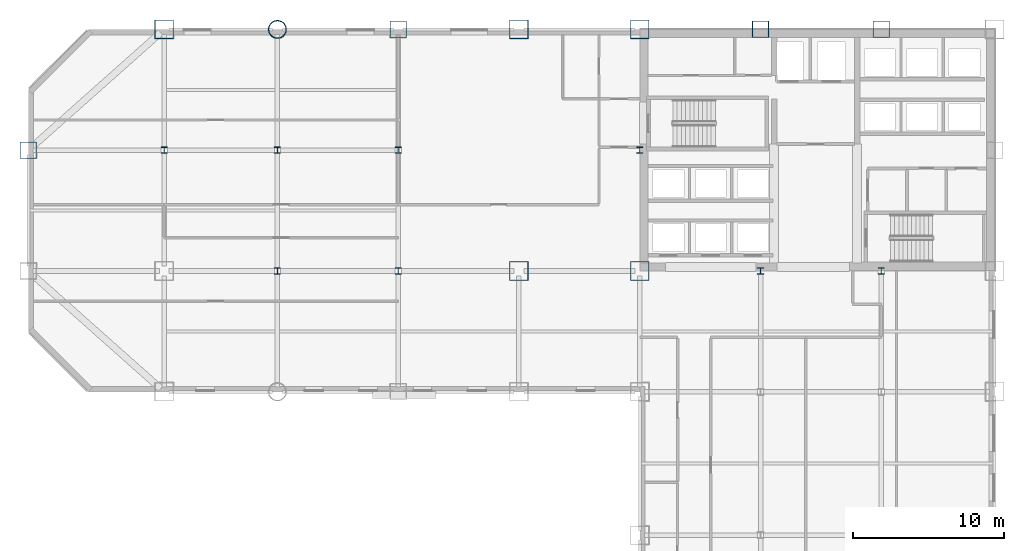
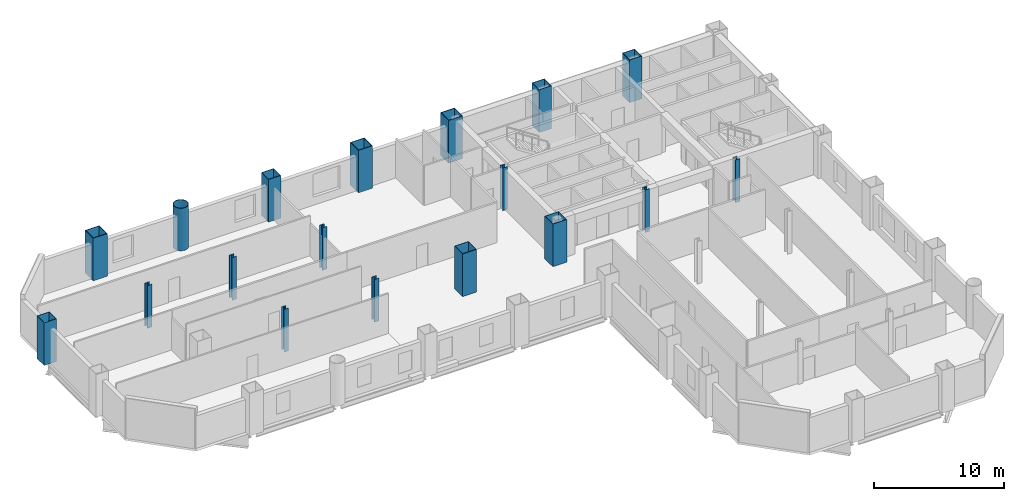
# One storey, part 2 of 9: 18 columns.
"""IFC4 building model written with IfcOpenShell, lengths in metres."""

from ifc_helpers import new_model, si_unit, direction, frame, origin, origin_2d, place, context, subcontext, project, spatial, hollow_rectangle, hollow_circle, i_section, extrude, material, material_profile, profile_set, type_object, element, save


model = new_model("IFC4")

# Units and contexts
model_context = context("Model", 3, precision=1e-05, world=origin(), true_north=direction((0.0, 1.0)))
body_context = subcontext(model_context, "Body", "Model", "MODEL_VIEW")
ifc_project = project(units=[si_unit("LENGTHUNIT", "METRE"), si_unit("AREAUNIT", "SQUARE_METRE"), si_unit("VOLUMEUNIT", "CUBIC_METRE"), si_unit("PLANEANGLEUNIT", "RADIAN"), si_unit("MASSUNIT", "GRAM", prefix="KILO")], contexts=[model_context])

# Site, building, storey
site_placement = place(None, origin())
site = spatial("IfcSite", under=ifc_project, at=site_placement, CompositionType="ELEMENT")
building_placement = place(site_placement, origin())
building = spatial("IfcBuilding", under=site, at=building_placement, Name="Qianrong Seaharbour Tower", CompositionType="ELEMENT")
storey_placement = place(building_placement, frame((0.0, 0.0, 76.199951171875)))
storey = spatial("IfcBuildingStorey", under=building, at=storey_placement, Name="L18", CompositionType="ELEMENT", Elevation=76.199951171875)

# Columns
ifc_material = material(Name="Structural steel SN490B", Category="steel")
ifc_material_profile_1 = material_profile(ifc_material, hollow_rectangle(XDim=1.25, YDim=1.25, WallThickness=0.044921875, at=origin_2d()), Name="BOX1250x1250x45")
ifc_profile_set_1 = profile_set([ifc_material_profile_1], Name="Structural steel SN490B")
column_type_1 = type_object("IfcColumnType", Name="COL-CFT-1250", PredefinedType="COLUMN", material=ifc_profile_set_1)
for number, where, z_axis, x_axis, name in (
    (1, (9.0, 52.0, 0.0), (0.0, 0.0, 1.0), (1.0, 0.0, 0.0), "L18 Column MC-2 at G2/GH"),
    (2, (32.5, 36.0, 0.0), (0.0, 0.0, 1.0), (1.0, 0.0, 0.0), "L18 Column MC-2 at G5/GF"),
    (3, (32.5, 52.0, 0.0), (0.0, 0.0, 1.0), (1.0, 0.0, 0.0), "L18 Column MC-2 at G5/GH"),
    (4, (40.5, 36.0, 0.0), (0.0, 0.0, 1.0), (1.0, 0.0, 0.0), "L18 Column MC-2 at G6/GF"),
    (5, (40.5, 52.0, 0.0), (0.0, 0.0, 1.0), (1.0, 0.0, 0.0), "L18 Column MC-2 at G6/GH"),
):
    element("IfcColumn", number, at=place(storey_placement, frame(where, z_axis=z_axis, x_axis=x_axis)), inside=storey, type_object=column_type_1, Name=name, PredefinedType="COLUMN", context=body_context, shape_type="SweptSolid", body=[
        extrude(hollow_rectangle(XDim=1.25, YDim=1.25, WallThickness=0.044921875, at=origin_2d()), origin(), (0.0, 0.0, 1.0), 4.0),
    ])
ifc_material_profile_2 = material_profile(ifc_material, hollow_circle(Radius=0.60009765625, WallThickness=0.0400390625, at=origin_2d()), Name="CHS1200x40")
ifc_profile_set_2 = profile_set([ifc_material_profile_2], Name="Structural steel SN490B")
column_type_2 = type_object("IfcColumnType", Name="COL-CHS-1200", PredefinedType="COLUMN", material=ifc_profile_set_2)
column_placement = place(storey_placement, frame((16.5, 52.0, 0.0), z_axis=(0.0, 0.0, 1.0), x_axis=(1.0, 0.0, 0.0)))
element("IfcColumn", 6, at=column_placement, inside=storey, type_object=column_type_2, Name="L18 Column CC-1 at G3/GH", PredefinedType="COLUMN", context=body_context, shape_type="SweptSolid", body=[
    extrude(hollow_circle(Radius=0.60009765625, WallThickness=0.0400390625, at=origin_2d()), origin(), (0.0, 0.0, 1.0), 4.0),
])
ifc_material_profile_3 = material_profile(ifc_material, i_section(OverallWidth=0.406982421875, OverallDepth=0.427978515625, WebThickness=0.02001953125, FlangeThickness=0.034912109375, FilletRadius=0.02197265625, at=origin_2d()), Name="H428x407x20x35")
ifc_profile_set_3 = profile_set([ifc_material_profile_3], Name="Structural steel SN490B")
column_type_3 = type_object("IfcColumnType", Name="COL-INT-H428", PredefinedType="COLUMN", material=ifc_profile_set_3)
for number, where, z_axis, x_axis, name in (
    (7, (9.0, 44.0, 0.0), (0.0, 0.0, 1.0), (1.0, 0.0, 0.0), "L18 Column IC-2 at G2/GG"),
    (8, (16.5, 36.0, 0.0), (0.0, 0.0, 1.0), (1.0, 0.0, 0.0), "L18 Column IC-2 at G3/GF"),
    (9, (16.5, 44.0, 0.0), (0.0, 0.0, 1.0), (1.0, 0.0, 0.0), "L18 Column IC-2 at G3/GG"),
    (10, (24.5, 36.0, 0.0), (0.0, 0.0, 1.0), (1.0, 0.0, 0.0), "L18 Column IC-2 at G4/GF"),
    (11, (24.5, 44.0, 0.0), (0.0, 0.0, 1.0), (1.0, 0.0, 0.0), "L18 Column IC-2 at G4/GG"),
    (12, (40.5, 44.0, 0.0), (0.0, 0.0, 1.0), (1.0, 0.0, 0.0), "L18 Column IC-2 at G6/GG"),
    (13, (48.5, 36.0, 0.0), (0.0, 0.0, 1.0), (1.0, 0.0, 0.0), "L18 Column IC-2 at G7/GF"),
    (14, (56.5, 36.0, 0.0), (0.0, 0.0, 1.0), (1.0, 0.0, 0.0), "L18 Column IC-2 at G8/GF"),
):
    element("IfcColumn", number, at=place(storey_placement, frame(where, z_axis=z_axis, x_axis=x_axis)), inside=storey, type_object=column_type_3, Name=name, PredefinedType="COLUMN", context=body_context, shape_type="SweptSolid", body=[
        extrude(i_section(OverallWidth=0.406982421875, OverallDepth=0.427978515625, WebThickness=0.02001953125, FlangeThickness=0.034912109375, FilletRadius=0.02197265625, at=origin_2d()), origin(), (0.0, 0.0, 1.0), 4.0),
    ])
ifc_material_profile_4 = material_profile(ifc_material, hollow_rectangle(XDim=1.10009765625, YDim=1.10009765625, WallThickness=0.0400390625, at=origin_2d()), Name="BOX1100x1100x40")
ifc_profile_set_4 = profile_set([ifc_material_profile_4], Name="Structural steel SN490B")
column_type_4 = type_object("IfcColumnType", Name="COL-PER-1100", PredefinedType="COLUMN", material=ifc_profile_set_4)
for number, where, z_axis, x_axis, name in (
    (15, (0.0, 44.0, 0.0), (0.0, 0.0, 1.0), (1.0, 0.0, 0.0), "L18 Column PC-1 at G1/GG"),
    (16, (24.5, 52.0, 0.0), (0.0, 0.0, 1.0), (1.0, 0.0, 0.0), "L18 Column PC-1 at G4/GH"),
    (17, (48.5, 52.0, 0.0), (0.0, 0.0, 1.0), (1.0, 0.0, 0.0), "L18 Column PC-1 at G7/GH"),
    (18, (56.5, 52.0, 0.0), (0.0, 0.0, 1.0), (1.0, 0.0, 0.0), "L18 Column PC-1 at G8/GH"),
):
    element("IfcColumn", number, at=place(storey_placement, frame(where, z_axis=z_axis, x_axis=x_axis)), inside=storey, type_object=column_type_4, Name=name, PredefinedType="COLUMN", context=body_context, shape_type="SweptSolid", body=[
        extrude(hollow_rectangle(XDim=1.10009765625, YDim=1.10009765625, WallThickness=0.0400390625, at=origin_2d()), origin(), (0.0, 0.0, 1.0), 4.0),
    ])

save(model, "model.ifc")
